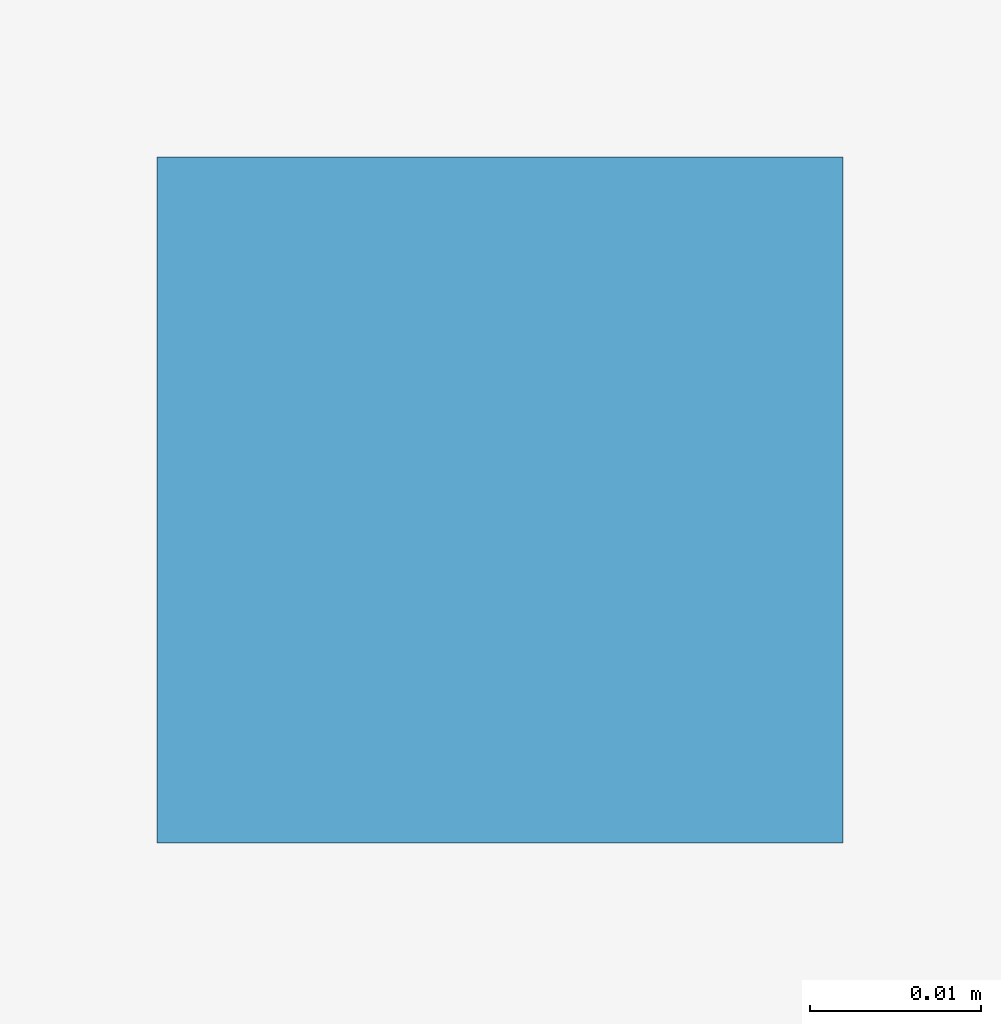
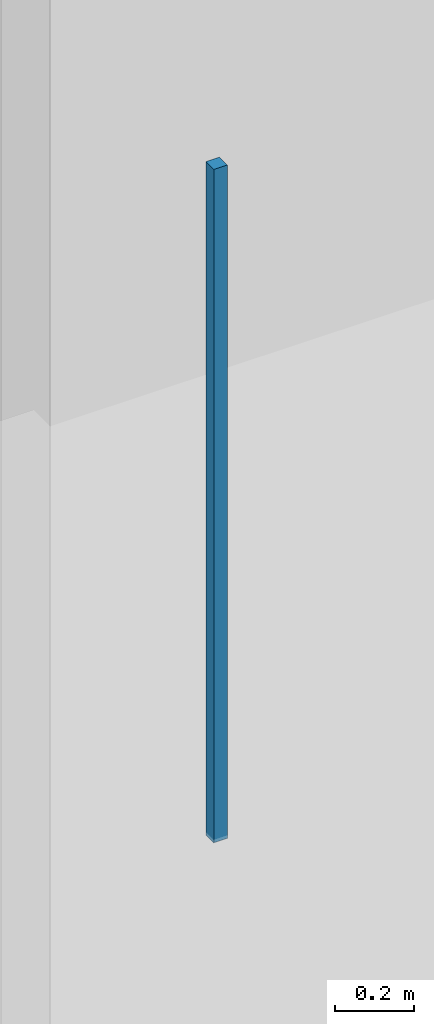
# One storey, part 103 of 167: 1 discrete accessory.
"""IFC4 building model written with IfcOpenShell, lengths in metres."""

from ifc_helpers import new_model, si_unit, direction, frame, origin, origin_2d, place, context, subcontext, project, spatial, rectangle, extrude, material, type_object, element, save


model = new_model("IFC4")

# Units and contexts
model_context = context("Model", 3, precision=1e-05, world=origin(), true_north=direction((0.0, 1.0)))
body_context = subcontext(model_context, "Body", "Model", "MODEL_VIEW")
ifc_project = project(units=[si_unit("LENGTHUNIT", "METRE"), si_unit("AREAUNIT", "SQUARE_METRE"), si_unit("VOLUMEUNIT", "CUBIC_METRE"), si_unit("PLANEANGLEUNIT", "RADIAN"), si_unit("MASSUNIT", "GRAM", prefix="KILO")], contexts=[model_context])

# Site, building, storey
site_placement = place(None, origin())
site = spatial("IfcSite", under=ifc_project, at=site_placement, CompositionType="ELEMENT")
building_placement = place(site_placement, origin())
building = spatial("IfcBuilding", under=site, at=building_placement, Name="Varncliffe General Hospital", CompositionType="ELEMENT")
storey_placement = place(building_placement, origin())
storey = spatial("IfcBuildingStorey", under=building, at=storey_placement, Name="L00", CompositionType="ELEMENT", Elevation=0.0)

# Discrete accessory
ifc_material = material(Name="Powder-coated hospital steel guardrail and handrail", Category="steel")
discrete_accessory_type = type_object("IfcDiscreteAccessoryType", Name="Suspended Ceiling Hanger Bracket CH01", PredefinedType="BRACKET", material=ifc_material)
discrete_accessory_placement = place(storey_placement, frame((20.39990234375, 118.10009765625, 3.18994140625), z_axis=(0.0, 0.0, 1.0), x_axis=(1.0, 0.0, 0.0)))
element("IfcDiscreteAccessory", 1, at=discrete_accessory_placement, inside=storey, type_object=discrete_accessory_type, Name="L00 Suspended Ceiling Hanger 1", PredefinedType="BRACKET", context=body_context, shape_type="SweptSolid", body=[
    extrude(rectangle(XDim=0.0400390625, YDim=0.0400390625, at=origin_2d()), origin(), (0.0, 0.0, 1.0), 2.090087890625),
])

save(model, "model.ifc")
